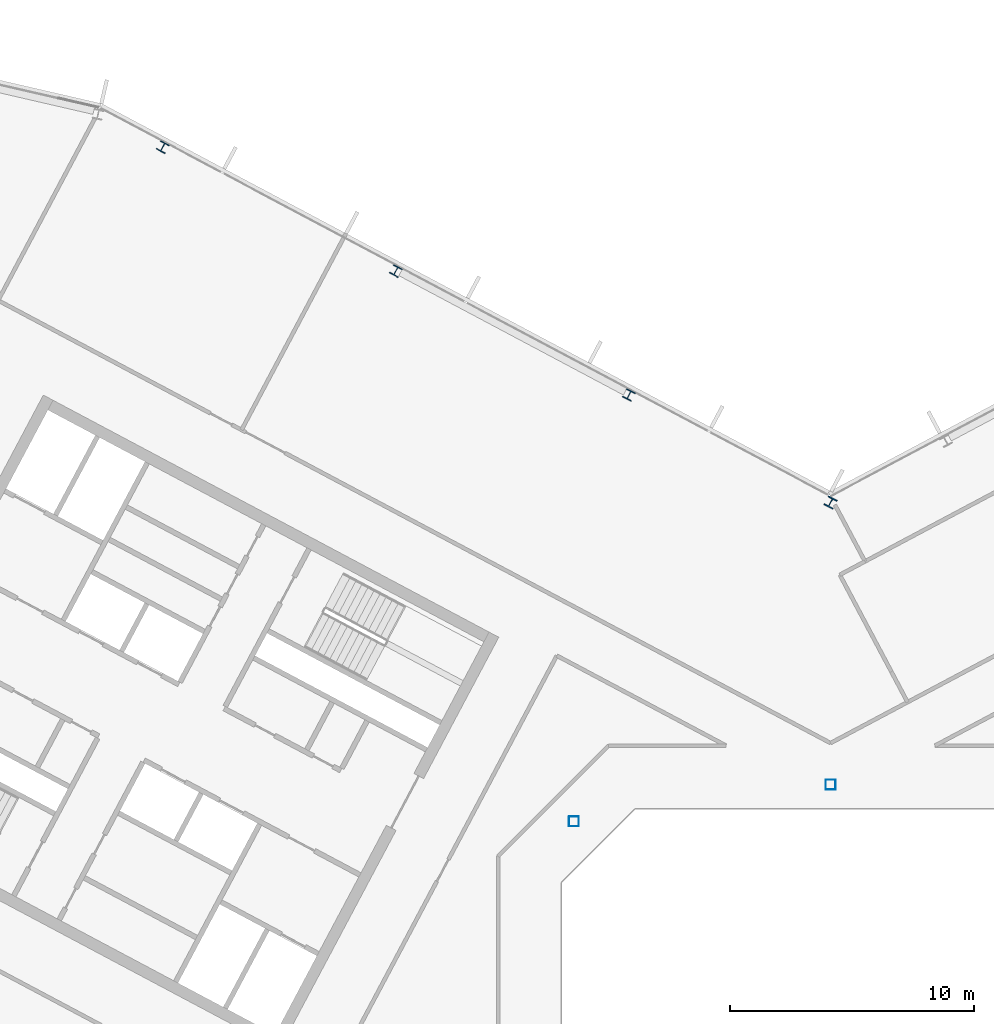
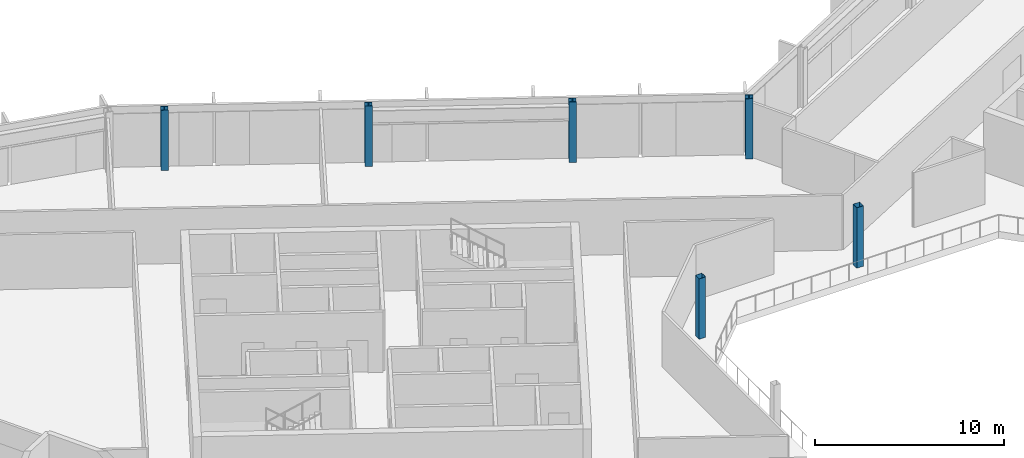
# One storey, part 4 of 26: 6 columns.
"""IFC4 building model written with IfcOpenShell, lengths in metres."""

from ifc_helpers import new_model, si_unit, direction, frame, origin, origin_2d, place, context, subcontext, project, spatial, hollow_rectangle, i_section, extrude, material, material_profile, profile_set, type_object, element, save


model = new_model("IFC4")

# Units and contexts
model_context = context("Model", 3, precision=1e-05, world=origin(), true_north=direction((0.0, 1.0)))
body_context = subcontext(model_context, "Body", "Model", "MODEL_VIEW")
ifc_project = project(units=[si_unit("LENGTHUNIT", "METRE"), si_unit("AREAUNIT", "SQUARE_METRE"), si_unit("VOLUMEUNIT", "CUBIC_METRE"), si_unit("PLANEANGLEUNIT", "RADIAN"), si_unit("MASSUNIT", "GRAM", prefix="KILO")], contexts=[model_context])

# Site, building, storey
site_placement = place(None, origin())
site = spatial("IfcSite", under=ifc_project, at=site_placement, CompositionType="ELEMENT")
building_placement = place(site_placement, origin())
building = spatial("IfcBuilding", under=site, at=building_placement, Name="Cormorant Relay Tower", CompositionType="ELEMENT")
storey_placement = place(building_placement, frame((0.0, 0.0, 320.39990234375)))
storey = spatial("IfcBuildingStorey", under=building, at=storey_placement, Name="L73", CompositionType="ELEMENT", Elevation=320.39990234375)

# Columns
ifc_material_1 = material(Name="Steel ASTM A500 Grade C (Fy 345 MPa)", Category="steel")
ifc_material_profile_1 = material_profile(ifc_material_1, hollow_rectangle(XDim=0.406494140625, YDim=0.406494140625, WallThickness=0.0087890625, InnerFilletRadius=0.00439453125, OuterFilletRadius=0.01318359375, at=origin_2d()), Name="HSS406x406x9")
ifc_profile_set_1 = profile_set([ifc_material_profile_1], Name="Steel ASTM A500 Grade C (Fy 345 MPa)")
column_type_1 = type_object("IfcColumnType", Name="Column HSS406x406x9", PredefinedType="COLUMN", material=ifc_profile_set_1)
for number, where, z_axis, x_axis, name in (
    (1, (-10.5, 10.5, 0.0), (0.0, 0.0, 1.0), (1.0, 0.0, 0.0), "Column L73-023"),
    (2, (0.0, 12.0, 0.0), (0.0, 0.0, 1.0), (1.0, 0.0, 0.0), "Column L73-025"),
):
    element("IfcColumn", number, at=place(storey_placement, frame(where, z_axis=z_axis, x_axis=x_axis)), inside=storey, type_object=column_type_1, Name=name, PredefinedType="COLUMN", context=body_context, shape_type="SweptSolid", body=[
        extrude(hollow_rectangle(XDim=0.406494140625, YDim=0.406494140625, WallThickness=0.0087890625, InnerFilletRadius=0.00439453125, OuterFilletRadius=0.01318359375, at=origin_2d()), origin(), (0.0, 0.0, 1.0), 3.900146484375),
    ])
ifc_material_2 = material(Name="Steel ASTM A992 (Fy 345 MPa)", Category="steel")
ifc_material_profile_2 = material_profile(ifc_material_2, i_section(OverallWidth=0.398681640625, OverallDepth=0.385986328125, WebThickness=0.02099609375, FlangeThickness=0.033203125, FilletRadius=0.01513671875, at=origin_2d()), Name="W360x262")
ifc_profile_set_2 = profile_set([ifc_material_profile_2], Name="Steel ASTM A992 (Fy 345 MPa)")
column_type_2 = type_object("IfcColumnType", Name="Column W360x262", PredefinedType="COLUMN", material=ifc_profile_set_2)
for number, where, z_axis, x_axis, name in (
    (3, (-8.2470703125, 27.943115234375, 0.0), (0.0, 0.0, 1.0), (-0.882947592859, 0.469471562786, 0.0), "Column L73-032"),
    (4, (-17.782958984375, 33.012939453125, 0.0), (0.0, 0.0, 1.0), (-0.882947592859, 0.469471562786, 0.0), "Column L73-036"),
    (5, (-27.319091796875, 38.0830078125, 0.0), (0.0, 0.0, 1.0), (-0.882947592859, 0.469471562786, 0.0), "Column L73-040"),
):
    element("IfcColumn", number, at=place(storey_placement, frame(where, z_axis=z_axis, x_axis=x_axis)), inside=storey, type_object=column_type_2, Name=name, PredefinedType="COLUMN", context=body_context, shape_type="SweptSolid", body=[
        extrude(i_section(OverallWidth=0.398681640625, OverallDepth=0.385986328125, WebThickness=0.02099609375, FlangeThickness=0.033203125, FilletRadius=0.01513671875, at=origin_2d()), origin(), (0.0, 0.0, 1.0), 3.900146484375),
    ])
ifc_material_3 = material(Name="Steel ASTM A992 (Fy 345 MPa)", Category="steel")
ifc_material_profile_3 = material_profile(ifc_material_3, i_section(OverallWidth=0.40380859375, OverallDepth=0.406494140625, WebThickness=0.027099609375, FlangeThickness=0.043701171875, FilletRadius=0.01513671875, at=origin_2d()), Name="W360x347")
ifc_profile_set_3 = profile_set([ifc_material_profile_3], Name="Steel ASTM A992 (Fy 345 MPa)")
column_type_3 = type_object("IfcColumnType", Name="Column W360x347", PredefinedType="COLUMN", material=ifc_profile_set_3)
column_placement = place(storey_placement, frame((0.0, 23.5439453125, 0.0), z_axis=(0.0, 0.0, 1.0), x_axis=(-0.882947592859, 0.469471562786, 0.0)))
element("IfcColumn", 6, at=column_placement, inside=storey, type_object=column_type_3, Name="Column L73-029", PredefinedType="COLUMN", context=body_context, shape_type="SweptSolid", body=[
    extrude(i_section(OverallWidth=0.40380859375, OverallDepth=0.406494140625, WebThickness=0.027099609375, FlangeThickness=0.043701171875, FilletRadius=0.01513671875, at=origin_2d()), origin(), (0.0, 0.0, 1.0), 3.900146484375),
])

save(model, "model.ifc")
